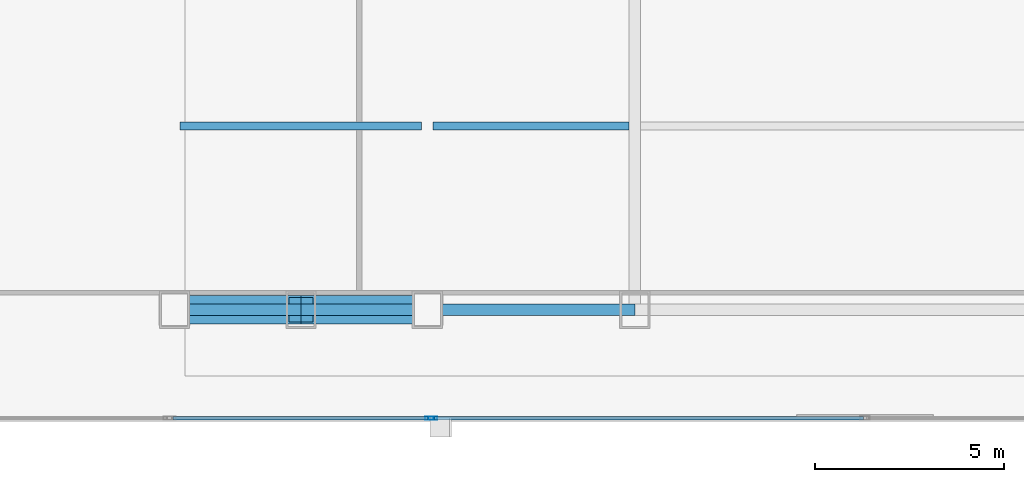
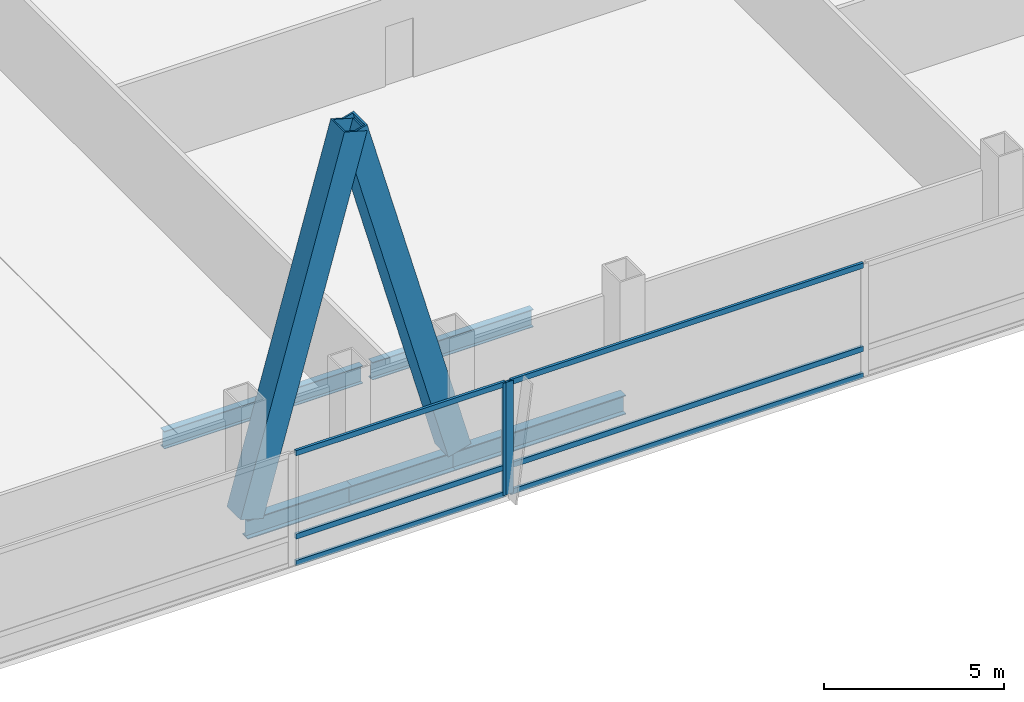
# One storey, part 8 of 35: 10 members, 5 beams, 2 elements without a shape of their own.
"""IFC4 building model written with IfcOpenShell, lengths in metres."""

from ifc_helpers import new_model, si_unit, direction, frame, origin, origin_2d, place, context, subcontext, project, spatial, hollow_rectangle, i_section, extrude, material, material_profile, profile_set, type_object, element, aggregate, save


model = new_model("IFC4")

# Units and contexts
model_context = context("Model", 3, precision=1e-05, world=origin(), true_north=direction((0.0, 1.0)))
body_context = subcontext(model_context, "Body", "Model", "MODEL_VIEW")
ifc_project = project(units=[si_unit("LENGTHUNIT", "METRE"), si_unit("AREAUNIT", "SQUARE_METRE"), si_unit("VOLUMEUNIT", "CUBIC_METRE"), si_unit("PLANEANGLEUNIT", "RADIAN"), si_unit("MASSUNIT", "GRAM", prefix="KILO")], contexts=[model_context])

# Site, building, storey
site_placement = place(None, origin())
site = spatial("IfcSite", under=ifc_project, at=site_placement, CompositionType="ELEMENT")
building_placement = place(site_placement, origin())
building = spatial("IfcBuilding", under=site, at=building_placement, Name="Khoronbel Lancet Exchange", CompositionType="ELEMENT")
storey_placement = place(building_placement, frame((0.0, 0.0, 25.800048828125)))
storey = spatial("IfcBuildingStorey", under=building, at=storey_placement, Name="L05", CompositionType="ELEMENT", Elevation=25.800048828125)

# Beams
ifc_material_1 = material(Name="Steel S355", Category="steel")
ifc_material_profile_1 = material_profile(ifc_material_1, i_section(OverallWidth=0.219970703125, OverallDepth=0.60009765625, WebThickness=0.011962890625, FlangeThickness=0.01904296875, at=origin_2d()), Name="IPE 600")
ifc_profile_set_1 = profile_set([ifc_material_profile_1], Name="Steel S355")
beam_type_1 = type_object("IfcBeamType", Name="BM-BJ1", PredefinedType="JOIST", material=ifc_profile_set_1)
beam_1_placement = place(storey_placement, frame((18.375, 15.0, -0.47998046875), z_axis=(1.0, 0.0, 0.0), x_axis=(0.0, 1.0, 0.0)))
element("IfcBeam", 1, at=beam_1_placement, inside=storey, type_object=beam_type_1, Name="Level L05 secondary composite joist J01", PredefinedType="JOIST", context=body_context, shape_type="SweptSolid", body=[
    extrude(i_section(OverallWidth=0.219970703125, OverallDepth=0.60009765625, WebThickness=0.011962890625, FlangeThickness=0.01904296875, at=origin_2d()), origin(), (0.0, 0.0, 1.0), 6.375),
])
beam_2_placement = place(storey_placement, frame((25.050048828125, 15.0, -0.47998046875), z_axis=(1.0, 0.0, 0.0), x_axis=(0.0, 1.0, 0.0)))
element("IfcBeam", 2, at=beam_2_placement, inside=storey, type_object=beam_type_1, Name="Level L05 secondary composite joist J02", PredefinedType="JOIST", context=body_context, shape_type="SweptSolid", body=[
    extrude(i_section(OverallWidth=0.219970703125, OverallDepth=0.60009765625, WebThickness=0.011962890625, FlangeThickness=0.01904296875, at=origin_2d()), origin(), (0.0, 0.0, 1.0), 5.175048828125),
])
ifc_material_profile_2 = material_profile(ifc_material_1, i_section(OverallWidth=0.300048828125, OverallDepth=0.64990234375, WebThickness=0.01611328125, FlangeThickness=0.031005859375, at=origin_2d()), Name="HEB 650")
ifc_profile_set_2 = profile_set([ifc_material_profile_2], Name="Steel S355")
beam_type_2 = type_object("IfcBeamType", Name="BM-BSP1", PredefinedType="SPANDREL", material=ifc_profile_set_2)
for number, where, z_axis, x_axis, name in (
    (3, (18.22509765625, 10.14990234375, -0.505126953125), (1.0, 0.0, 0.0), (0.0, 1.0, 0.0), "Level L05 perimeter spandrel beam SP01"),
    (4, (21.5625, 10.14990234375, -0.505126953125), (1.0, 0.0, 0.0), (0.0, 1.0, 0.0), "Level L05 perimeter spandrel beam SP02"),
):
    element("IfcBeam", number, at=place(storey_placement, frame(where, z_axis=z_axis, x_axis=x_axis)), inside=storey, type_object=beam_type_2, Name=name, PredefinedType="SPANDREL", context=body_context, shape_type="SweptSolid", body=[
        extrude(i_section(OverallWidth=0.300048828125, OverallDepth=0.64990234375, WebThickness=0.01611328125, FlangeThickness=0.031005859375, at=origin_2d()), origin(), (0.0, 0.0, 1.0), 3.33740234375),
    ])
beam_3_placement = place(storey_placement, frame((24.89990234375, 10.14990234375, -0.505126953125), z_axis=(1.0, 0.0, 0.0), x_axis=(0.0, 1.0, 0.0)))
element("IfcBeam", 5, at=beam_3_placement, inside=storey, type_object=beam_type_2, Name="Level L05 perimeter spandrel beam SP03", PredefinedType="SPANDREL", context=body_context, shape_type="SweptSolid", body=[
    extrude(i_section(OverallWidth=0.300048828125, OverallDepth=0.64990234375, WebThickness=0.01611328125, FlangeThickness=0.031005859375, at=origin_2d()), origin(), (0.0, 0.0, 1.0), 5.47509765625),
])

# Curtain wall, member
ifc_material_2 = material(Name="Low-E Solar Control Insulating Glass", Category="glass")
curtain_wall_type = type_object("IfcCurtainWallType", Name="CW-1", PredefinedType="NOTDEFINED", material=ifc_material_2)
curtain_wall_1_placement = place(storey_placement, origin())
curtain_wall_1 = element("IfcCurtainWall", 6, at=curtain_wall_1_placement, inside=storey, type_object=curtain_wall_type, Name="Unitised curtain wall CW-L05-SWB", PredefinedType="NOTDEFINED")
ifc_material_3 = material(Name="Bronze-Anodised Aluminium 6063-T6", Category="aluminium")
ifc_material_profile_3 = material_profile(ifc_material_3, hollow_rectangle(XDim=0.0849609375, YDim=0.239990234375, WallThickness=0.006103515625, at=origin_2d()), Name="ALU MULLION 85x240")
ifc_profile_set_3 = profile_set([ifc_material_profile_3], Name="Bronze-Anodised Aluminium 6063-T6")
member_type_1 = type_object("IfcMemberType", Name="MEM-CWM1", PredefinedType="MULLION", material=ifc_profile_set_3)
member_1_placement = place(storey_placement, frame((24.95751953125, 7.2900390625, 0.0), z_axis=(0.0, 0.0, 1.0), x_axis=(0.0, 1.0, 0.0)))
member_1 = element("IfcMember", 7, at=member_1_placement, type_object=member_type_1, Name="CW1 mullion 2", PredefinedType="MULLION", context=body_context, shape_type="SweptSolid", body=[
    extrude(hollow_rectangle(XDim=0.0849609375, YDim=0.239990234375, WallThickness=0.006103515625, at=origin_2d()), origin(), (0.0, 0.0, 1.0), 3.820068359375),
])

curtain_wall_2_placement = place(storey_placement, origin())
curtain_wall_2 = element("IfcCurtainWall", 8, at=curtain_wall_2_placement, inside=storey, type_object=curtain_wall_type, Name="Unitised curtain wall CW-L05-SCV", PredefinedType="NOTDEFINED")
member_2_placement = place(storey_placement, frame((25.04248046875, 7.2900390625, 0.0), z_axis=(0.0, 0.0, 1.0), x_axis=(0.0, 1.0, 0.0)))
member_2 = element("IfcMember", 9, at=member_2_placement, type_object=member_type_1, Name="CW1 mullion 1", PredefinedType="MULLION", context=body_context, shape_type="SweptSolid", body=[
    extrude(hollow_rectangle(XDim=0.0849609375, YDim=0.239990234375, WallThickness=0.006103515625, at=origin_2d()), origin(), (0.0, 0.0, 1.0), 3.820068359375),
])

# Member
ifc_material_profile_4 = material_profile(ifc_material_3, hollow_rectangle(XDim=0.0849609375, YDim=0.179931640625, WallThickness=0.0048828125, at=origin_2d()), Name="ALU TRANSOM 85x180")
ifc_profile_set_4 = profile_set([ifc_material_profile_4], Name="Bronze-Anodised Aluminium 6063-T6")
member_type_2 = type_object("IfcMemberType", Name="MEM-CWT1", PredefinedType="USERDEFINED", material=ifc_profile_set_4)
member_3_placement = place(storey_placement, frame((18.18505859375, 7.2900390625, 0.04248046875), z_axis=(1.0, 0.0, 0.0), x_axis=(0.0, 1.0, 0.0)))
member_3 = element("IfcMember", 10, at=member_3_placement, type_object=member_type_2, Name="CW1 transom 1.1", ObjectType="TRANSOM", PredefinedType="USERDEFINED", context=body_context, shape_type="SweptSolid", body=[
    extrude(hollow_rectangle(XDim=0.0849609375, YDim=0.179931640625, WallThickness=0.0048828125, at=origin_2d()), origin(), (0.0, 0.0, 1.0), 6.72998046875),
])

member_4_placement = place(storey_placement, frame((18.18505859375, 7.2900390625, 0.949951171875), z_axis=(1.0, 0.0, 0.0), x_axis=(0.0, 1.0, 0.0)))
member_4 = element("IfcMember", 11, at=member_4_placement, type_object=member_type_2, Name="CW1 transom 1.2", ObjectType="TRANSOM", PredefinedType="USERDEFINED", context=body_context, shape_type="SweptSolid", body=[
    extrude(hollow_rectangle(XDim=0.0849609375, YDim=0.179931640625, WallThickness=0.0048828125, at=origin_2d()), origin(), (0.0, 0.0, 1.0), 6.72998046875),
])

member_5_placement = place(storey_placement, frame((18.18505859375, 7.2900390625, 3.77734375), z_axis=(1.0, 0.0, 0.0), x_axis=(0.0, 1.0, 0.0)))
member_5 = element("IfcMember", 12, at=member_5_placement, type_object=member_type_2, Name="CW1 transom 1.3", ObjectType="TRANSOM", PredefinedType="USERDEFINED", context=body_context, shape_type="SweptSolid", body=[
    extrude(hollow_rectangle(XDim=0.0849609375, YDim=0.179931640625, WallThickness=0.0048828125, at=origin_2d()), origin(), (0.0, 0.0, 1.0), 6.72998046875),
])

aggregate(curtain_wall_1, [member_1, member_3, member_4, member_5])

member_6_placement = place(storey_placement, frame((25.0849609375, 7.2900390625, 0.04248046875), z_axis=(1.0, 0.0, 0.0), x_axis=(0.0, 1.0, 0.0)))
member_6 = element("IfcMember", 13, at=member_6_placement, type_object=member_type_2, Name="CW1 transom 1.1", ObjectType="TRANSOM", PredefinedType="USERDEFINED", context=body_context, shape_type="SweptSolid", body=[
    extrude(hollow_rectangle(XDim=0.0849609375, YDim=0.179931640625, WallThickness=0.0048828125, at=origin_2d()), origin(), (0.0, 0.0, 1.0), 11.322509765625),
])

member_7_placement = place(storey_placement, frame((25.0849609375, 7.2900390625, 0.949951171875), z_axis=(1.0, 0.0, 0.0), x_axis=(0.0, 1.0, 0.0)))
member_7 = element("IfcMember", 14, at=member_7_placement, type_object=member_type_2, Name="CW1 transom 1.2", ObjectType="TRANSOM", PredefinedType="USERDEFINED", context=body_context, shape_type="SweptSolid", body=[
    extrude(hollow_rectangle(XDim=0.0849609375, YDim=0.179931640625, WallThickness=0.0048828125, at=origin_2d()), origin(), (0.0, 0.0, 1.0), 11.322509765625),
])

member_8_placement = place(storey_placement, frame((25.0849609375, 7.2900390625, 3.77734375), z_axis=(1.0, 0.0, 0.0), x_axis=(0.0, 1.0, 0.0)))
member_8 = element("IfcMember", 15, at=member_8_placement, type_object=member_type_2, Name="CW1 transom 1.3", ObjectType="TRANSOM", PredefinedType="USERDEFINED", context=body_context, shape_type="SweptSolid", body=[
    extrude(hollow_rectangle(XDim=0.0849609375, YDim=0.179931640625, WallThickness=0.0048828125, at=origin_2d()), origin(), (0.0, 0.0, 1.0), 11.322509765625),
])

aggregate(curtain_wall_2, [member_2, member_6, member_7, member_8])

# Members
ifc_material_4 = material(Name="Steel S460", Category="steel")
ifc_material_profile_5 = material_profile(ifc_material_4, hollow_rectangle(XDim=0.760009765625, YDim=0.760009765625, WallThickness=0.054931640625, at=origin_2d()), Name="BOX 760x760x55")
ifc_profile_set_5 = profile_set([ifc_material_profile_5], Name="Steel S460")
member_type_3 = type_object("IfcMemberType", Name="MEM-MB1", PredefinedType="BRACE", material=ifc_profile_set_5)
for number, where, z_axis, x_axis, name in (
    (16, (18.22509765625, 10.14990234375, 0.0), (0.267947134133, 0.0, 0.963433616452), (0.0, 1.0, 0.0), "Perimeter lancet brace tier 1 S-W-L"),
    (17, (24.89990234375, 10.14990234375, 0.0), (-0.267947134133, 0.0, 0.963433616452), (0.0, -1.0, 0.0), "Perimeter lancet brace tier 1 S-W-R"),
):
    element("IfcMember", number, at=place(storey_placement, frame(where, z_axis=z_axis, x_axis=x_axis)), inside=storey, type_object=member_type_3, Name=name, PredefinedType="BRACE", context=body_context, shape_type="SweptSolid", body=[
        extrude(hollow_rectangle(XDim=0.760009765625, YDim=0.760009765625, WallThickness=0.054931640625, at=origin_2d()), origin(), (0.0, 0.0, 1.0), 12.45556640625),
    ])

save(model, "model.ifc")
